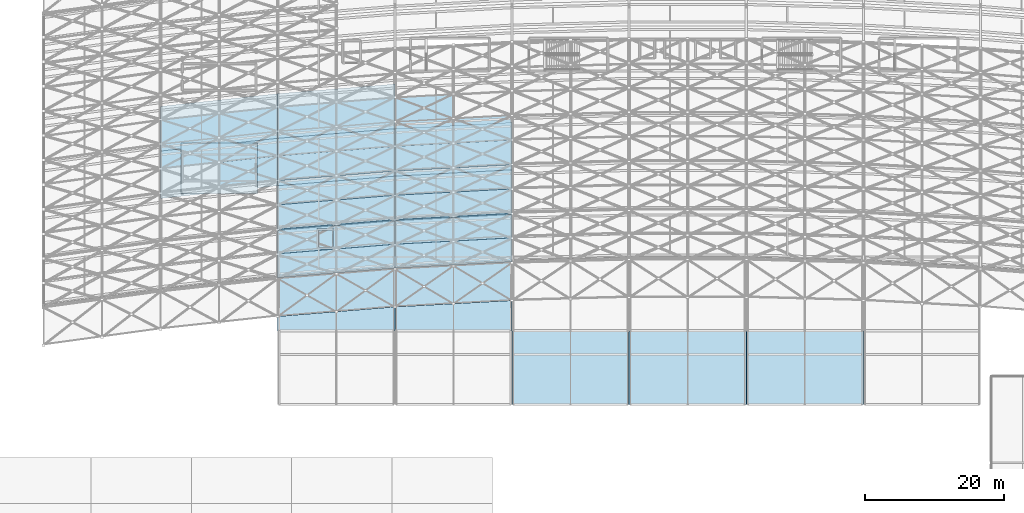
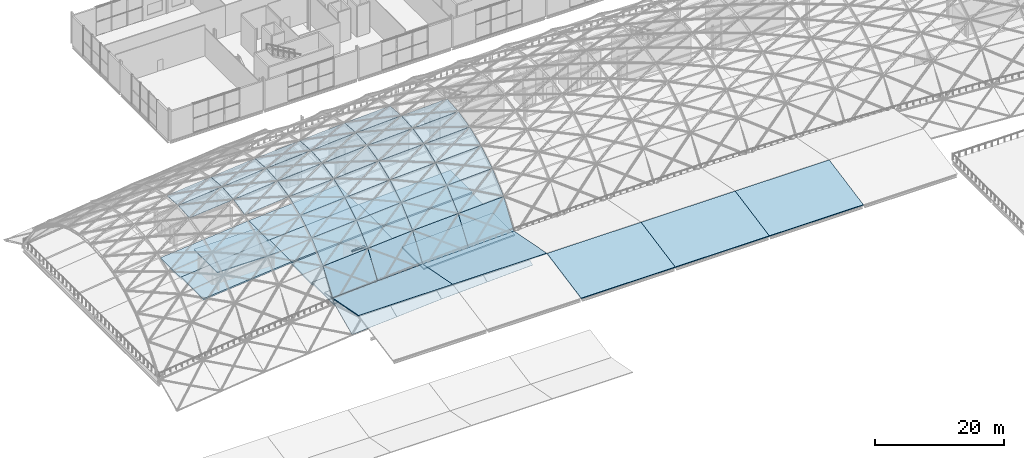
# One storey, part 64 of 100: 36 plates, 16 slabs.
"""IFC4 building model written with IfcOpenShell, lengths in metres."""

from ifc_helpers import new_model, si_unit, direction, frame, origin, place, context, subcontext, project, spatial, polyline, outline, extrude, material, layer, layer_set, type_object, element, save


model = new_model("IFC4")

# Units and contexts
model_context = context("Model", 3, precision=1e-05, world=origin(), true_north=direction((0.0, 1.0)))
body_context = subcontext(model_context, "Body", "Model", "MODEL_VIEW")
ifc_project = project(units=[si_unit("LENGTHUNIT", "METRE"), si_unit("AREAUNIT", "SQUARE_METRE"), si_unit("VOLUMEUNIT", "CUBIC_METRE"), si_unit("PLANEANGLEUNIT", "RADIAN"), si_unit("MASSUNIT", "GRAM", prefix="KILO")], contexts=[model_context])

# Site, building, storey
site_placement = place(None, origin())
site = spatial("IfcSite", under=ifc_project, at=site_placement, CompositionType="ELEMENT")
building_placement = place(site_placement, origin())
building = spatial("IfcBuilding", under=site, at=building_placement, Name="Kimbaza Rail Terminus", CompositionType="ELEMENT")
storey_placement = place(building_placement, frame((0.0, 0.0, 10.800048828125)))
storey = spatial("IfcBuildingStorey", under=building, at=storey_placement, Name="L02", CompositionType="ELEMENT", Elevation=10.800048828125)

# Plates
ifc_material_1 = material(Name="Insulated pearl-white aluminium cassette", Category="aluminium")
ifc_layer_1 = layer(ifc_material_1, 0.054931640625)
ifc_layer_set_1 = layer_set([ifc_layer_1], Name="Insulated pearl-white aluminium cassette")
plate_type_1 = type_object("IfcPlateType", Name="ARC-PL-VAL-01", PredefinedType="SHEET", material=ifc_layer_set_1)
plate_1_placement = place(storey_placement, frame((55.205078125, 46.4599609375, -2.39990234375), z_axis=(0.033780937756, -0.413566770926, 0.909846896038), x_axis=(0.996680630795, 0.081410811309, 0.0)))
element("IfcPlate", 1, at=plate_1_placement, inside=storey, type_object=plate_type_1, Name="Vault Insulated Aluminium Cassette VR-04-VA00", PredefinedType="SHEET", context=body_context, shape_type="SweptSolid", body=[
    extrude(outline(polyline([(0.0, 0.0), (8.417834478666043, 0.0), (8.8655939408668, 6.0249075896655615), (0.44775946220075735, 6.0249075896655615), (0.0, 0.0)])), origin(), (0.0, 0.0, -1.0), 0.054931640625),
])
plate_2_placement = place(storey_placement, frame((63.60498046875, 47.145263671875, -2.39990234375), z_axis=(0.033767935442, -0.41356695275, 0.90984729605), x_axis=(0.996683175765, 0.081379648234, 0.0)))
element("IfcPlate", 2, at=plate_2_placement, inside=storey, type_object=plate_type_1, Name="Vault Insulated Aluminium Cassette VR-05-VA00", PredefinedType="SHEET", context=body_context, shape_type="SweptSolid", body=[
    extrude(outline(polyline([(0.0, 0.0), (8.418057937326623, -1.1102230246251565e-16), (8.865646002611616, 6.0249203251009416), (0.4475880652849929, 6.0249203251009416), (0.0, 0.0)])), origin(), (0.0, 0.0, -1.0), 0.054931640625),
])
plate_3_placement = place(storey_placement, frame((72.0048828125, 47.830322265625, -2.39990234375), z_axis=(0.022487005751, -0.41369830815, 0.910136277931), x_axis=(0.998525975476, 0.054275927434, 0.0)))
element("IfcPlate", 3, at=plate_3_placement, inside=storey, type_object=plate_type_1, Name="Vault Insulated Aluminium Cassette VR-06-VA00", PredefinedType="SHEET", context=body_context, shape_type="SweptSolid", body=[
    extrude(outline(polyline([(0.0, 0.0), (8.40252224259524, -5.551115123125783e-17), (8.701039843481146, 6.034143455533795), (0.2985176008859068, 6.034143455533795), (0.0, 0.0)])), origin(), (0.0, 0.0, -1.0), 0.054931640625),
])
plate_4_placement = place(storey_placement, frame((80.405029296875, 48.286376953125, -2.39990234375), z_axis=(0.022475627499, -0.413698414027, 0.91013651086), x_axis=(0.998527464249, 0.054248531231, 0.0)))
element("IfcPlate", 4, at=plate_4_placement, inside=storey, type_object=plate_type_1, Name="Vault Insulated Aluminium Cassette VR-07-VA00", PredefinedType="SHEET", context=body_context, shape_type="SweptSolid", body=[
    extrude(outline(polyline([(0.0, 0.0), (8.402265214043142, 5.551115123125783e-17), (8.700632135813533, 6.034150907956584), (0.2983669217703925, 6.034150907956584), (0.0, 0.0)])), origin(), (0.0, 0.0, -1.0), 0.054931640625),
])
ifc_material_2 = material(Name="Laminated solar-control low-E glass", Category="glass")
ifc_layer_2 = layer(ifc_material_2, 0.028076171875)
ifc_layer_set_2 = layer_set([ifc_layer_2], Name="Laminated solar-control low-E glass")
plate_type_2 = type_object("IfcPlateType", Name="ARC-PL-VGL-02", PredefinedType="SHEET", material=ifc_layer_set_2)
plate_5_placement = place(storey_placement, frame((55.205078125, 51.937744140625, 0.048095703125), z_axis=(0.066970142284, -0.819889184035, 0.56859187995), x_axis=(0.996680630795, 0.081410811309, 0.0)))
element("IfcPlate", 5, at=plate_5_placement, inside=storey, type_object=plate_type_2, Name="Vault Solar Glass Cassette VR-04-VA01", PredefinedType="SHEET", context=body_context, shape_type="SweptSolid", body=[
    extrude(outline(polyline([(0.0, 0.0), (8.417834478666043, 0.0), (8.702772318248343, 6.135124912599512), (0.2849378395823001, 6.135124912599512), (0.0, 0.0)])), origin(), (0.0, 0.0, -1.0), 0.028076171875),
])
plate_6_placement = place(storey_placement, frame((63.60498046875, 52.623046875, 0.048095703125), z_axis=(0.066944451658, -0.81989060074, 0.568592862433), x_axis=(0.996683175765, 0.081379648234, 0.0)))
element("IfcPlate", 6, at=plate_6_placement, inside=storey, type_object=plate_type_2, Name="Vault Solar Glass Cassette VR-05-VA01", PredefinedType="SHEET", context=body_context, shape_type="SweptSolid", body=[
    extrude(outline(polyline([(0.0, 0.0), (8.418057937326623, -5.551115123125783e-17), (8.702886706144344, 6.135129977276667), (0.28482876881772273, 6.135129977276667), (0.0, 0.0)])), origin(), (0.0, 0.0, -1.0), 0.028076171875),
])
plate_7_placement = place(storey_placement, frame((72.0048828125, 53.30810546875, 0.048095703125), z_axis=(0.044621724118, -0.820915509127, 0.569303634813), x_axis=(0.998525975476, 0.054275927434, 0.0)))
element("IfcPlate", 7, at=plate_7_placement, inside=storey, type_object=plate_type_2, Name="Vault Solar Glass Cassette VR-06-VA01", PredefinedType="SHEET", context=body_context, shape_type="SweptSolid", body=[
    extrude(outline(polyline([(0.0, 0.0), (8.40252224259524, -5.551115123125783e-17), (8.592487988613543, 6.138799579800982), (0.18996574601830432, 6.138799579800982), (0.0, 0.0)])), origin(), (0.0, 0.0, -1.0), 0.028076171875),
])
plate_8_placement = place(storey_placement, frame((80.405029296875, 53.76416015625, 0.048095703125), z_axis=(0.044599179399, -0.820916336393, 0.569304208521), x_axis=(0.998527464249, 0.054248531231, 0.0)))
element("IfcPlate", 8, at=plate_8_placement, inside=storey, type_object=plate_type_2, Name="Vault Solar Glass Cassette VR-07-VA01", PredefinedType="SHEET", context=body_context, shape_type="SweptSolid", body=[
    extrude(outline(polyline([(0.0, 0.0), (8.402265214043142, 0.0), (8.592135073351573, 6.1388025462749), (0.18986985930843156, 6.1388025462749), (0.0, 0.0)])), origin(), (0.0, 0.0, -1.0), 0.028076171875),
])
ifc_material_3 = material(Name="Laminated solar-control low-E glass", Category="glass")
ifc_layer_3 = layer(ifc_material_3, 0.030029296875)
ifc_layer_set_3 = layer_set([ifc_layer_3], Name="Laminated solar-control low-E glass")
plate_type_3 = type_object("IfcPlateType", Name="ARC-PL-VGL-03", PredefinedType="SHEET", material=ifc_layer_set_3)
plate_9_placement = place(storey_placement, frame((55.205078125, 55.44873046875, 5.110107421875), z_axis=(0.054643718223, -0.668981609093, 0.741267610755), x_axis=(0.996680630795, 0.081410811309, 0.0)))
element("IfcPlate", 9, at=plate_9_placement, inside=storey, type_object=plate_type_3, Name="Vault Solar Glass Cassette VR-04-VA02", PredefinedType="SHEET", context=body_context, shape_type="SweptSolid", body=[
    extrude(outline(polyline([(0.0, 0.0), (8.417834478666043, -1.1102230246251565e-16), (8.702772318248343, 4.705968744848587), (0.2849378395823001, 4.705968744848587), (0.0, 0.0)])), origin(), (0.0, 0.0, -1.0), 0.030029296875),
])
plate_10_placement = place(storey_placement, frame((63.60498046875, 56.134033203125, 5.110107421875), z_axis=(0.054622724628, -0.668982378677, 0.741268463496), x_axis=(0.996683175765, 0.081379648234, 0.0)))
element("IfcPlate", 10, at=plate_10_placement, inside=storey, type_object=plate_type_3, Name="Vault Solar Glass Cassette VR-05-VA02", PredefinedType="SHEET", context=body_context, shape_type="SweptSolid", body=[
    extrude(outline(polyline([(0.0, 0.0), (8.418057937326623, 0.0), (8.702886706144344, 4.705975347616198), (0.28482876881772273, 4.705975347616198), (0.0, 0.0)])), origin(), (0.0, 0.0, -1.0), 0.030029296875),
])
plate_11_placement = place(storey_placement, frame((72.0048828125, 56.819091796875, 5.110107421875), z_axis=(0.036393483194, -0.669538781296, 0.74188498753), x_axis=(0.998525975476, 0.054275927434, 0.0)))
element("IfcPlate", 11, at=plate_11_placement, inside=storey, type_object=plate_type_3, Name="Vault Solar Glass Cassette VR-06-VA02", PredefinedType="SHEET", context=body_context, shape_type="SweptSolid", body=[
    extrude(outline(polyline([(0.0, 0.0), (8.40252224259524, 0.0), (8.592487988613543, 4.710758369440882), (0.18996574601830432, 4.710758369440882), (0.0, 0.0)])), origin(), (0.0, 0.0, -1.0), 0.030029296875),
])
plate_12_placement = place(storey_placement, frame((80.405029296875, 57.275146484375, 5.110107421875), z_axis=(0.036375083446, -0.669539230121, 0.741885484852), x_axis=(0.998527464249, 0.054248531231, 0.0)))
element("IfcPlate", 12, at=plate_12_placement, inside=storey, type_object=plate_type_3, Name="Vault Solar Glass Cassette VR-07-VA02", PredefinedType="SHEET", context=body_context, shape_type="SweptSolid", body=[
    extrude(outline(polyline([(0.0, 0.0), (8.402265214043142, -5.551115123125783e-17), (8.592135073351573, 4.710762235184854), (0.18986985930843156, 4.710762235184854), (0.0, 0.0)])), origin(), (0.0, 0.0, -1.0), 0.030029296875),
])
ifc_material_4 = material(Name="Laminated solar-control low-E glass", Category="glass")
ifc_layer_4 = layer(ifc_material_4, 0.031982421875)
ifc_layer_set_4 = layer_set([ifc_layer_4], Name="Laminated solar-control low-E glass")
plate_type_4 = type_object("IfcPlateType", Name="ARC-PL-VGL-04", PredefinedType="SHEET", material=ifc_layer_set_4)
plate_13_placement = place(storey_placement, frame((55.205078125, 58.96044921875, 8.27978515625), z_axis=(0.042454938672, -0.519944393257, 0.853144422769), x_axis=(0.996682983687, 0.081382000647, 0.0)))
element("IfcPlate", 13, at=plate_13_placement, inside=storey, type_object=plate_type_4, Name="Vault Solar Glass Cassette VR-04-VA03", PredefinedType="SHEET", context=body_context, shape_type="SweptSolid", body=[
    extrude(outline(polyline([(0.0, 0.0), (8.417814606496611, 0.0), (8.702651608760181, 4.088862740941044), (0.2848370022635715, 4.088862740941044), (0.0, 0.0)])), origin(), (0.0, 0.0, -1.0), 0.031982421875),
])
plate_14_placement = place(storey_placement, frame((63.60498046875, 59.6455078125, 8.27978515625), z_axis=(0.042453705523, -0.519944420527, 0.853144467514), x_axis=(0.996683175765, 0.081379648234, 0.0)))
element("IfcPlate", 14, at=plate_14_placement, inside=storey, type_object=plate_type_4, Name="Vault Solar Glass Cassette VR-05-VA03", PredefinedType="SHEET", context=body_context, shape_type="SweptSolid", body=[
    extrude(outline(polyline([(0.0, 0.0), (8.418057937326623, -1.1102230246251565e-16), (8.702886706144344, 4.088863314488293), (0.28482876881772273, 4.088863314488293), (0.0, 0.0)])), origin(), (0.0, 0.0, -1.0), 0.031982421875),
])
plate_15_placement = place(storey_placement, frame((72.0048828125, 60.33056640625, 8.27978515625), z_axis=(0.028276316888, -0.520205517225, 0.85357288485), x_axis=(0.998525975476, 0.054275927434, 0.0)))
element("IfcPlate", 15, at=plate_15_placement, inside=storey, type_object=plate_type_4, Name="Vault Solar Glass Cassette VR-06-VA03", PredefinedType="SHEET", context=body_context, shape_type="SweptSolid", body=[
    extrude(outline(polyline([(0.0, 0.0), (8.40252224259524, 0.0), (8.592487988613543, 4.094367307344826), (0.18996574601830432, 4.094367307344826), (0.0, 0.0)])), origin(), (0.0, 0.0, -1.0), 0.031982421875),
])
plate_16_placement = place(storey_placement, frame((80.405029296875, 60.78662109375, 8.27978515625), z_axis=(0.028262013493, -0.520205727736, 0.853573230264), x_axis=(0.998527464249, 0.054248531231, 0.0)))
element("IfcPlate", 16, at=plate_16_placement, inside=storey, type_object=plate_type_4, Name="Vault Solar Glass Cassette VR-07-VA03", PredefinedType="SHEET", context=body_context, shape_type="SweptSolid", body=[
    extrude(outline(polyline([(0.0, 0.0), (8.402265214043142, 0.0), (8.592135073351573, 4.094371755060917), (0.1898698593084316, 4.094371755060917), (0.0, 0.0)])), origin(), (0.0, 0.0, -1.0), 0.031982421875),
])
ifc_material_5 = material(Name="Laminated solar-control low-E glass", Category="glass")
ifc_layer_5 = layer(ifc_material_5, 0.033935546875)
ifc_layer_set_5 = layer_set([ifc_layer_5], Name="Laminated solar-control low-E glass")
plate_type_5 = type_object("IfcPlateType", Name="ARC-PL-VGL-05", PredefinedType="SHEET", material=ifc_layer_set_5)
plate_17_placement = place(storey_placement, frame((55.205078125, 62.472412109375, 10.421142578125), z_axis=(0.030333803213, -0.371364854795, 0.927991381967), x_axis=(0.996680630795, 0.081410811309, 0.0)))
element("IfcPlate", 17, at=plate_17_placement, inside=storey, type_object=plate_type_5, Name="Vault Solar Glass Cassette VR-04-VA04", PredefinedType="SHEET", context=body_context, shape_type="SweptSolid", body=[
    extrude(outline(polyline([(0.0, 0.0), (8.417834478666043, -1.1102230246251565e-16), (8.702772318248343, 3.7590674607210186), (0.2849378395823001, 3.7590674607210186), (0.0, 0.0)])), origin(), (0.0, 0.0, -1.0), 0.033935546875),
])
plate_18_placement = place(storey_placement, frame((63.60498046875, 63.15771484375, 10.421142578125), z_axis=(0.030322125123, -0.371364986444, 0.927991710939), x_axis=(0.996683175765, 0.081379648234, 0.0)))
element("IfcPlate", 18, at=plate_18_placement, inside=storey, type_object=plate_type_5, Name="Vault Solar Glass Cassette VR-05-VA04", PredefinedType="SHEET", context=body_context, shape_type="SweptSolid", body=[
    extrude(outline(polyline([(0.0, 0.0), (8.418057937326623, 0.0), (8.702886706144344, 3.759075726708785), (0.28482876881772273, 3.7590757267087853), (0.0, 0.0)])), origin(), (0.0, 0.0, -1.0), 0.033935546875),
])
plate_19_placement = place(storey_placement, frame((72.0048828125, 63.8427734375, 10.421142578125), z_axis=(0.020191102791, -0.37146008485, 0.928229349208), x_axis=(0.998525975476, 0.054275927434, 0.0)))
element("IfcPlate", 19, at=plate_19_placement, inside=storey, type_object=plate_type_5, Name="Vault Solar Glass Cassette VR-06-VA04", PredefinedType="SHEET", context=body_context, shape_type="SweptSolid", body=[
    extrude(outline(polyline([(0.0, 0.0), (8.40252224259524, -5.551115123125783e-17), (8.592487988613543, 3.7650618536774543), (0.18996574601830432, 3.7650618536774543), (0.0, 0.0)])), origin(), (0.0, 0.0, -1.0), 0.033935546875),
])
plate_20_placement = place(storey_placement, frame((80.405029296875, 64.298828125, 10.421142578125), z_axis=(0.020180885247, -0.371460161495, 0.928229540735), x_axis=(0.998527464249, 0.054248531231, 0.0)))
element("IfcPlate", 20, at=plate_20_placement, inside=storey, type_object=plate_type_5, Name="Vault Solar Glass Cassette VR-07-VA04", PredefinedType="SHEET", context=body_context, shape_type="SweptSolid", body=[
    extrude(outline(polyline([(0.0, 0.0), (8.402265214043142, 5.551115123125783e-17), (8.592135073351573, 3.7650666904058414), (0.18986985930843156, 3.7650666904058414), (0.0, 0.0)])), origin(), (0.0, 0.0, -1.0), 0.033935546875),
])
ifc_material_6 = material(Name="Laminated solar-control low-E glass", Category="glass")
ifc_layer_6 = layer(ifc_material_6, 0.035888671875)
ifc_layer_set_6 = layer_set([ifc_layer_6], Name="Laminated solar-control low-E glass")
plate_type_6 = type_object("IfcPlateType", Name="ARC-PL-VGL-06", PredefinedType="SHEET", material=ifc_layer_set_6)
plate_21_placement = place(storey_placement, frame((46.804931640625, 65.0693359375, 11.827880859375), z_axis=(0.024315229609, -0.222771842373, 0.974567327512), x_axis=(0.994095994634, 0.108504163297, 0.0)))
element("IfcPlate", 21, at=plate_21_placement, inside=storey, type_object=plate_type_6, Name="Vault Solar Glass Cassette VR-03-VA05", PredefinedType="SHEET", context=body_context, shape_type="SweptSolid", body=[
    extrude(outline(polyline([(0.0, 0.0), (8.43996632522378, -1.1102230246251565e-16), (8.819730896764002, 3.5701340307594975), (0.3797645715402207, 3.570134030759497), (0.0, 0.0)])), origin(), (0.0, 0.0, -1.0), 0.035888671875),
])
plate_22_placement = place(storey_placement, frame((55.205078125, 65.985107421875, 11.827880859375), z_axis=(0.018198804208, -0.22280082174, 0.974694104505), x_axis=(0.996680630795, 0.081410811309, 0.0)))
element("IfcPlate", 22, at=plate_22_placement, inside=storey, type_object=plate_type_6, Name="Vault Solar Glass Cassette VR-04-VA05", PredefinedType="SHEET", context=body_context, shape_type="SweptSolid", body=[
    extrude(outline(polyline([(0.0, 0.0), (8.417834478666043, -1.1102230246251565e-16), (8.702772318248343, 3.578950761739865), (0.2849378395823001, 3.578950761739865), (0.0, 0.0)])), origin(), (0.0, 0.0, -1.0), 0.035888671875),
])
plate_23_placement = place(storey_placement, frame((63.60498046875, 66.67041015625, 11.827880859375), z_axis=(0.018191793795, -0.222800850169, 0.974694228875), x_axis=(0.996683175765, 0.081379648234, 0.0)))
element("IfcPlate", 23, at=plate_23_placement, inside=storey, type_object=plate_type_6, Name="Vault Solar Glass Cassette VR-05-VA05", PredefinedType="SHEET", context=body_context, shape_type="SweptSolid", body=[
    extrude(outline(polyline([(0.0, 0.0), (8.418057937326623, -1.1102230246251565e-16), (8.702886706144344, 3.578959443726341), (0.28482876881772273, 3.5789594437263412), (0.0, 0.0)])), origin(), (0.0, 0.0, -1.0), 0.035888671875),
])
plate_24_placement = place(storey_placement, frame((72.0048828125, 67.35546875, 11.827880859375), z_axis=(0.012111690054, -0.22282138136, 0.974784047353), x_axis=(0.998525975476, 0.054275927434, 0.0)))
element("IfcPlate", 24, at=plate_24_placement, inside=storey, type_object=plate_type_6, Name="Vault Solar Glass Cassette VR-06-VA05", PredefinedType="SHEET", context=body_context, shape_type="SweptSolid", body=[
    extrude(outline(polyline([(0.0, 0.0), (8.40252224259524, 0.0), (8.592487988613543, 3.585246315488504), (0.18996574601830432, 3.585246315488504), (0.0, 0.0)])), origin(), (0.0, 0.0, -1.0), 0.035888671875),
])
plate_25_placement = place(storey_placement, frame((80.405029296875, 67.8115234375, 11.827880859375), z_axis=(0.012105559432, -0.222821397903, 0.974784119725), x_axis=(0.998527464249, 0.054248531231, 0.0)))
element("IfcPlate", 25, at=plate_25_placement, inside=storey, type_object=plate_type_6, Name="Vault Solar Glass Cassette VR-07-VA05", PredefinedType="SHEET", context=body_context, shape_type="SweptSolid", body=[
    extrude(outline(polyline([(0.0, 0.0), (8.402265214043142, 5.551115123125783e-17), (8.592135073351573, 3.585251394799308), (0.18986985930843156, 3.585251394799308), (0.0, 0.0)])), origin(), (0.0, 0.0, -1.0), 0.035888671875),
])
ifc_material_7 = material(Name="Laminated solar-control low-E glass", Category="glass")
ifc_layer_7 = layer(ifc_material_7, 0.0380859375)
ifc_layer_set_7 = layer_set([ifc_layer_7], Name="Laminated solar-control low-E glass")
plate_type_7 = type_object("IfcPlateType", Name="ARC-PL-VGL-07", PredefinedType="SHEET", material=ifc_layer_set_7)
plate_26_placement = place(storey_placement, frame((38.405029296875, 67.666748046875, 12.632080078125), z_axis=(0.008101273925, -0.074220282173, 0.997208964598), x_axis=(0.99409565406, 0.108507283526, 0.0)))
element("IfcPlate", 26, at=plate_26_placement, inside=storey, type_object=plate_type_7, Name="Vault Solar Glass Cassette VR-02-VA06", PredefinedType="SHEET", context=body_context, shape_type="SweptSolid", body=[
    extrude(outline(polyline([(0.0, 0.0), (8.439723626047915, 0.0), (8.819499118389885, 3.489072915237242), (0.37977549234196967, 3.489072915237242), (0.0, 0.0)])), origin(), (0.0, 0.0, -1.0), 0.0380859375),
])
plate_27_placement = place(storey_placement, frame((46.804931640625, 68.58251953125, 12.632080078125), z_axis=(0.008103197764, -0.074220281016, 0.997208949053), x_axis=(0.994092874093, 0.108532749334, 0.0)))
element("IfcPlate", 27, at=plate_27_placement, inside=storey, type_object=plate_type_7, Name="Vault Solar Glass Cassette VR-03-VA06", PredefinedType="SHEET", context=body_context, shape_type="SweptSolid", body=[
    extrude(outline(polyline([(0.0, 0.0), (8.439992818987536, -1.1102230246251565e-16), (8.819857441654904, 3.489063212507258), (0.37986462266736853, 3.4890632125072583), (0.0, 0.0)])), origin(), (0.0, 0.0, -1.0), 0.0380859375),
])
plate_28_placement = place(storey_placement, frame((55.205078125, 69.49853515625, 12.632080078125), z_axis=(0.006062544456, -0.074221353835, 0.997223363239), x_axis=(0.996680630795, 0.081410811309, 0.0)))
element("IfcPlate", 28, at=plate_28_placement, inside=storey, type_object=plate_type_7, Name="Vault Solar Glass Cassette VR-04-VA06", PredefinedType="SHEET", context=body_context, shape_type="SweptSolid", body=[
    extrude(outline(polyline([(0.0, 0.0), (8.417834478666043, -1.1102230246251565e-16), (8.702772318248343, 3.498095147362327), (0.2849378395823001, 3.498095147362327), (0.0, 0.0)])), origin(), (0.0, 0.0, -1.0), 0.0380859375),
])
plate_29_placement = place(storey_placement, frame((63.60498046875, 70.183837890625, 12.632080078125), z_axis=(0.006060208398, -0.074221354886, 0.99722337736), x_axis=(0.996683175765, 0.081379648234, 0.0)))
element("IfcPlate", 29, at=plate_29_placement, inside=storey, type_object=plate_type_7, Name="Vault Solar Glass Cassette VR-05-VA06", PredefinedType="SHEET", context=body_context, shape_type="SweptSolid", body=[
    extrude(outline(polyline([(0.0, 0.0), (8.418057937326623, 0.0), (8.702886706144344, 3.498104030025333), (0.28482876881772273, 3.4981040300253325), (0.0, 0.0)])), origin(), (0.0, 0.0, -1.0), 0.0380859375),
])
plate_30_placement = place(storey_placement, frame((72.0048828125, 70.868896484375, 12.632080078125), z_axis=(0.004034420898, -0.074222113807, 0.997233574079), x_axis=(0.998525975476, 0.054275927434, 0.0)))
element("IfcPlate", 30, at=plate_30_placement, inside=storey, type_object=plate_type_7, Name="Vault Solar Glass Cassette VR-06-VA06", PredefinedType="SHEET", context=body_context, shape_type="SweptSolid", body=[
    extrude(outline(polyline([(0.0, 0.0), (8.40252224259524, 0.0), (8.592487988613543, 3.5045359532704756), (0.18996574601830432, 3.5045359532704756), (0.0, 0.0)])), origin(), (0.0, 0.0, -1.0), 0.0380859375),
])
plate_31_placement = place(storey_placement, frame((80.405029296875, 71.324951171875, 12.632080078125), z_axis=(0.004032378514, -0.074222114419, 0.997233582294), x_axis=(0.998527464249, 0.054248531231, 0.0)))
element("IfcPlate", 31, at=plate_31_placement, inside=storey, type_object=plate_type_7, Name="Vault Solar Glass Cassette VR-07-VA06", PredefinedType="SHEET", context=body_context, shape_type="SweptSolid", body=[
    extrude(outline(polyline([(0.0, 0.0), (8.402265214043142, 5.551115123125783e-17), (8.592135073351573, 3.5045411495589383), (0.18986985930843156, 3.5045411495589383), (0.0, 0.0)])), origin(), (0.0, 0.0, -1.0), 0.0380859375),
])
ifc_material_8 = material(Name="Laminated solar-control low-E glass", Category="glass")
ifc_layer_8 = layer(ifc_material_8, 0.0400390625)
ifc_layer_set_8 = layer_set([ifc_layer_8], Name="Laminated solar-control low-E glass")
plate_type_8 = type_object("IfcPlateType", Name="ARC-PL-VGL-08", PredefinedType="SHEET", material=ifc_layer_set_8)
plate_32_placement = place(storey_placement, frame((38.405029296875, 71.1806640625, 12.894775390625), z_axis=(-0.008108824114, 0.074289453662, 0.997203752523), x_axis=(0.99409565406, 0.108507283526, 0.0)))
element("IfcPlate", 32, at=plate_32_placement, inside=storey, type_object=plate_type_8, Name="Vault Solar Glass Cassette VR-02-VA07", PredefinedType="SHEET", context=body_context, shape_type="SweptSolid", body=[
    extrude(outline(polyline([(0.0, 0.0), (8.439723626047915, 1.1102230246251565e-16), (8.819499118389885, 3.4890911515405705), (0.37977549234196967, 3.4890911515405705), (0.0, 0.0)])), origin(), (0.0, 0.0, -1.0), 0.0400390625),
])
plate_33_placement = place(storey_placement, frame((46.804931640625, 72.096435546875, 12.894775390625), z_axis=(-0.008110749746, 0.074289452502, 0.997203736949), x_axis=(0.994092874093, 0.108532749334, 0.0)))
element("IfcPlate", 33, at=plate_33_placement, inside=storey, type_object=plate_type_8, Name="Vault Solar Glass Cassette VR-03-VA07", PredefinedType="SHEET", context=body_context, shape_type="SweptSolid", body=[
    extrude(outline(polyline([(0.0, 0.0), (8.439992818987536, 0.0), (8.819857441654904, 3.4890814488612993), (0.37986462266736853, 3.4890814488612993), (0.0, 0.0)])), origin(), (0.0, 0.0, -1.0), 0.0400390625),
])
plate_34_placement = place(storey_placement, frame((55.205078125, 73.012451171875, 12.894775390625), z_axis=(-0.006068194762, 0.074290528323, 0.99721817794), x_axis=(0.996680630795, 0.081410811309, 0.0)))
element("IfcPlate", 34, at=plate_34_placement, inside=storey, type_object=plate_type_8, Name="Vault Solar Glass Cassette VR-04-VA07", PredefinedType="SHEET", context=body_context, shape_type="SweptSolid", body=[
    extrude(outline(polyline([(0.0, 0.0), (8.417834478666043, -1.1102230246251565e-16), (8.702772318248343, 3.4981133366311123), (0.2849378395823001, 3.498113336631113), (0.0, 0.0)])), origin(), (0.0, 0.0, -1.0), 0.0400390625),
])
plate_35_placement = place(storey_placement, frame((63.60498046875, 73.69775390625, 12.894775390625), z_axis=(-0.006065856528, 0.074290529377, 0.997218192087), x_axis=(0.996683175765, 0.081379648234, 0.0)))
element("IfcPlate", 35, at=plate_35_placement, inside=storey, type_object=plate_type_8, Name="Vault Solar Glass Cassette VR-05-VA07", PredefinedType="SHEET", context=body_context, shape_type="SweptSolid", body=[
    extrude(outline(polyline([(0.0, 0.0), (8.418057937326623, 0.0), (8.702886706144344, 3.4981222192479304), (0.28482876881772273, 3.498122219247931), (0.0, 0.0)])), origin(), (0.0, 0.0, -1.0), 0.0400390625),
])
plate_36_placement = place(storey_placement, frame((72.0048828125, 74.3828125, 12.894775390625), z_axis=(-0.004038181066, 0.074291290423, 0.997228407769), x_axis=(0.998525975476, 0.054275927434, 0.0)))
element("IfcPlate", 36, at=plate_36_placement, inside=storey, type_object=plate_type_8, Name="Vault Solar Glass Cassette VR-06-VA07", PredefinedType="SHEET", context=body_context, shape_type="SweptSolid", body=[
    extrude(outline(polyline([(0.0, 0.0), (8.40252224259524, -5.551115123125783e-17), (8.592487988613543, 3.504554109110315), (0.18996574601830432, 3.504554109110315), (0.0, 0.0)])), origin(), (0.0, 0.0, -1.0), 0.0400390625),
])

# Slabs
ifc_material_9 = material(Name="Concrete C40/50", Category="concrete")
ifc_layer_9 = layer(ifc_material_9, 0.155029296875)
ifc_layer_set_9 = layer_set([ifc_layer_9], Name="Concrete C40/50")
slab_type_1 = type_object("IfcSlabType", Name="STR-SL-OVR155", PredefinedType="ROOF", material=ifc_layer_set_9)
slab_1_placement = place(storey_placement, frame((0.0, 0.0, 5.369873046875)))
element("IfcSlab", 37, at=slab_1_placement, inside=storey, type_object=slab_type_1, Name="Lift Shaft Overrun Cap Slab LP-05", PredefinedType="ROOF", context=body_context, shape_type="SweptSolid", body=[
    extrude(outline(polyline([(60.800048828125, 56.14990234375), (63.199951171875, 56.14990234375), (63.199951171875, 59.050048828125), (60.800048828125, 59.050048828125), (60.800048828125, 56.14990234375)])), origin(), (0.0, 0.0, 1.0), 0.155029296875),
])
slab_2_placement = place(storey_placement, frame((0.0, 0.0, 3.39990234375)))
element("IfcSlab", 38, at=slab_2_placement, inside=storey, type_object=slab_type_1, Name="Island Platform 2-3 Air-Conditioned Waiting Lounge 2 Pod Roof Slab", PredefinedType="ROOF", context=body_context, shape_type="SweptSolid", body=[
    extrude(outline(polyline([(41.300048828125, 64.0615234375), (52.300048828125, 64.0615234375), (52.300048828125, 71.3173828125), (41.300048828125, 71.3173828125), (41.300048828125, 64.0615234375)])), origin(), (0.0, 0.0, 1.0), 0.155029296875),
])
ifc_material_10 = material(Name="Precast concrete C40/50", Category="concrete")
ifc_layer_10 = layer(ifc_material_10, 0.260009765625)
ifc_layer_set_10 = layer_set([ifc_layer_10], Name="Precast concrete C40/50")
slab_type_2 = type_object("IfcSlabType", Name="STR-SL-PLT260", PredefinedType="FLOOR", material=ifc_layer_set_10)
slab_3_placement = place(storey_placement, frame((0.0, 0.0, -0.260009765625)))
element("IfcSlab", 39, at=slab_3_placement, inside=storey, type_object=slab_type_2, Name="Viaduct Platform 2-3 South Island Bay 02", PredefinedType="FLOOR", context=body_context, shape_type="SweptSolid", body=[
    extrude(outline(polyline([(38.39990234375, 63.37353515625), (55.199951171875, 65.205322265625), (55.199951171875, 72.00537109375), (38.39990234375, 70.173583984375), (38.39990234375, 63.37353515625)])), origin(), (0.0, 0.0, 1.0), 0.260009765625),
])
slab_4_placement = place(storey_placement, frame((0.0, 0.0, -0.260009765625)))
element("IfcSlab", 40, at=slab_4_placement, inside=storey, type_object=slab_type_2, Name="Viaduct Platform 1 South Regional Bay 03", PredefinedType="FLOOR", context=body_context, shape_type="SweptSolid", body=[
    extrude(outline(polyline([(55.199951171875, 52.00537109375), (72.0, 53.375732421875), (72.0, 60.17578125), (55.199951171875, 58.805419921875), (55.199951171875, 52.00537109375)]), holes=[polyline([(61.050048828125, 56.39990234375), (62.949951171875, 56.39990234375), (62.949951171875, 58.800048828125), (61.050048828125, 58.800048828125), (61.050048828125, 56.39990234375)])]), origin(), (0.0, 0.0, 1.0), 0.260009765625),
])
slab_5_placement = place(storey_placement, frame((0.0, 0.0, -0.260009765625)))
element("IfcSlab", 41, at=slab_5_placement, inside=storey, type_object=slab_type_2, Name="Viaduct Platform 2-3 South Island Bay 03", PredefinedType="FLOOR", context=body_context, shape_type="SweptSolid", body=[
    extrude(outline(polyline([(55.199951171875, 65.205322265625), (72.0, 66.57568359375), (72.0, 73.375732421875), (55.199951171875, 72.00537109375), (55.199951171875, 65.205322265625)])), origin(), (0.0, 0.0, 1.0), 0.260009765625),
])
slab_6_placement = place(storey_placement, frame((0.0, 0.0, -0.260009765625)))
element("IfcSlab", 42, at=slab_6_placement, inside=storey, type_object=slab_type_2, Name="Viaduct Platform 1 South Regional Bay 04", PredefinedType="FLOOR", context=body_context, shape_type="SweptSolid", body=[
    extrude(outline(polyline([(72.0, 53.375732421875), (88.800048828125, 54.28759765625), (88.800048828125, 61.087646484375), (72.0, 60.17578125), (72.0, 53.375732421875)])), origin(), (0.0, 0.0, 1.0), 0.260009765625),
])
slab_7_placement = place(storey_placement, frame((0.0, 0.0, -0.260009765625)))
element("IfcSlab", 43, at=slab_7_placement, inside=storey, type_object=slab_type_2, Name="Viaduct Platform 2-3 South Island Bay 04", PredefinedType="FLOOR", context=body_context, shape_type="SweptSolid", body=[
    extrude(outline(polyline([(72.0, 66.57568359375), (88.800048828125, 67.48779296875), (88.800048828125, 74.28759765625), (72.0, 73.375732421875), (72.0, 66.57568359375)])), origin(), (0.0, 0.0, 1.0), 0.260009765625),
])
ifc_material_11 = material(Name="Concrete C40/50", Category="concrete")
ifc_layer_11 = layer(ifc_material_11, 0.175048828125)
ifc_layer_set_11 = layer_set([ifc_layer_11], Name="Concrete C40/50")
slab_type_3 = type_object("IfcSlabType", Name="STR-SL-RF175", PredefinedType="ROOF", material=ifc_layer_set_11)
for number, where, z_axis, x_axis, name in (
    (44, (55.199951171875, 44.429931640625, 2.449951171875), (0.0, 0.190400496041, 0.981706499473), (1.0, 0.0, 0.0), "South Concourse Dual-Pitch Roof North Slope Bay 1"),
    (45, (72.0, 44.429931640625, 2.449951171875), (0.0, 0.190400496041, 0.981706499473), (1.0, 0.0, 0.0), "South Concourse Dual-Pitch Roof North Slope Bay 2"),
    (46, (88.800048828125, 33.800048828125, 0.39990234375), (0.0, -0.190400496041, 0.981706499473), (1.0, 0.0, 0.0), "South Concourse Dual-Pitch Roof South Slope Bay 3"),
):
    element("IfcSlab", number, at=place(storey_placement, frame(where, z_axis=z_axis, x_axis=x_axis)), inside=storey, type_object=slab_type_3, Name=name, PredefinedType="ROOF", context=body_context, shape_type="SweptSolid", body=[
        extrude(outline(polyline([(0.0, 0.0), (16.800048828125, 0.0), (16.800048828125, 10.767035122054596), (0.0, 10.767035122054596), (0.0, 0.0)])), origin(), (0.0, 0.0, -1.0), 0.175048828125),
    ])
slab_8_placement = place(storey_placement, frame((105.60009765625, 33.800048828125, 0.39990234375), z_axis=(0.0, -0.190400496041, 0.981706499473), x_axis=(1.0, 0.0, 0.0)))
element("IfcSlab", 47, at=slab_8_placement, inside=storey, type_object=slab_type_3, Name="South Concourse Dual-Pitch Roof South Slope Bay 4", PredefinedType="ROOF", context=body_context, shape_type="SweptSolid", body=[
    extrude(outline(polyline([(0.0, 0.0), (16.7998046875, 0.0), (16.7998046875, 10.767035122054594), (0.0, 10.767035122054594), (0.0, 0.0)])), origin(), (0.0, 0.0, -1.0), 0.175048828125),
])
slab_9_placement = place(storey_placement, frame((122.39990234375, 33.800048828125, 0.39990234375), z_axis=(0.0, -0.190400496041, 0.981706499473), x_axis=(1.0, 0.0, 0.0)))
element("IfcSlab", 48, at=slab_9_placement, inside=storey, type_object=slab_type_3, Name="South Concourse Dual-Pitch Roof South Slope Bay 5", PredefinedType="ROOF", context=body_context, shape_type="SweptSolid", body=[
    extrude(outline(polyline([(0.0, 0.0), (16.800048828125, 0.0), (16.800048828125, 10.767035122054596), (0.0, 10.767035122054596), (0.0, 0.0)])), origin(), (0.0, 0.0, -1.0), 0.175048828125),
])
ifc_material_12 = material(Name="Concrete C40/50", Category="concrete")
ifc_layer_12 = layer(ifc_material_12, 0.320068359375)
ifc_layer_set_12 = layer_set([ifc_layer_12], Name="Concrete C40/50")
slab_type_4 = type_object("IfcSlabType", Name="STR-SL-TRK320", PredefinedType="FLOOR", material=ifc_layer_set_12)
slab_10_placement = place(storey_placement, frame((0.0, 0.0, -0.570068359375)))
element("IfcSlab", 49, at=slab_10_placement, inside=storey, type_object=slab_type_4, Name="Viaduct Track Bed 3-4 Bay 02", PredefinedType="FLOOR", context=body_context, shape_type="SweptSolid", body=[
    extrude(outline(polyline([(38.39990234375, 70.173583984375), (55.199951171875, 72.00537109375), (55.199951171875, 78.405517578125), (38.39990234375, 76.573486328125), (38.39990234375, 70.173583984375)])), origin(), (0.0, 0.0, 1.0), 0.320068359375),
])
slab_11_placement = place(storey_placement, frame((0.0, 0.0, -0.570068359375)))
element("IfcSlab", 50, at=slab_11_placement, inside=storey, type_object=slab_type_4, Name="Viaduct Track Bed 1-2 Bay 03", PredefinedType="FLOOR", context=body_context, shape_type="SweptSolid", body=[
    extrude(outline(polyline([(55.199951171875, 58.805419921875), (72.0, 60.17578125), (72.0, 66.57568359375), (55.199951171875, 65.205322265625), (55.199951171875, 58.805419921875)])), origin(), (0.0, 0.0, 1.0), 0.320068359375),
])
slab_12_placement = place(storey_placement, frame((0.0, 0.0, -0.570068359375)))
element("IfcSlab", 51, at=slab_12_placement, inside=storey, type_object=slab_type_4, Name="Viaduct Track Bed 3-4 Bay 03", PredefinedType="FLOOR", context=body_context, shape_type="SweptSolid", body=[
    extrude(outline(polyline([(55.199951171875, 72.00537109375), (72.0, 73.375732421875), (72.0, 79.77587890625), (55.199951171875, 78.405517578125), (55.199951171875, 72.00537109375)])), origin(), (0.0, 0.0, 1.0), 0.320068359375),
])
slab_13_placement = place(storey_placement, frame((0.0, 0.0, -0.570068359375)))
element("IfcSlab", 52, at=slab_13_placement, inside=storey, type_object=slab_type_4, Name="Viaduct Track Bed 1-2 Bay 04", PredefinedType="FLOOR", context=body_context, shape_type="SweptSolid", body=[
    extrude(outline(polyline([(72.0, 60.17578125), (88.800048828125, 61.087646484375), (88.800048828125, 67.48779296875), (72.0, 66.57568359375), (72.0, 60.17578125)])), origin(), (0.0, 0.0, 1.0), 0.320068359375),
])

save(model, "model.ifc")
